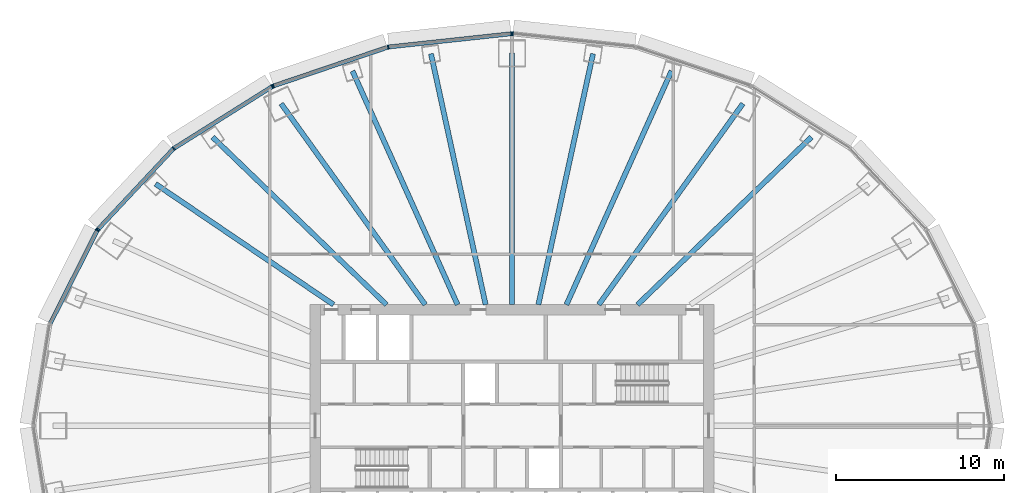
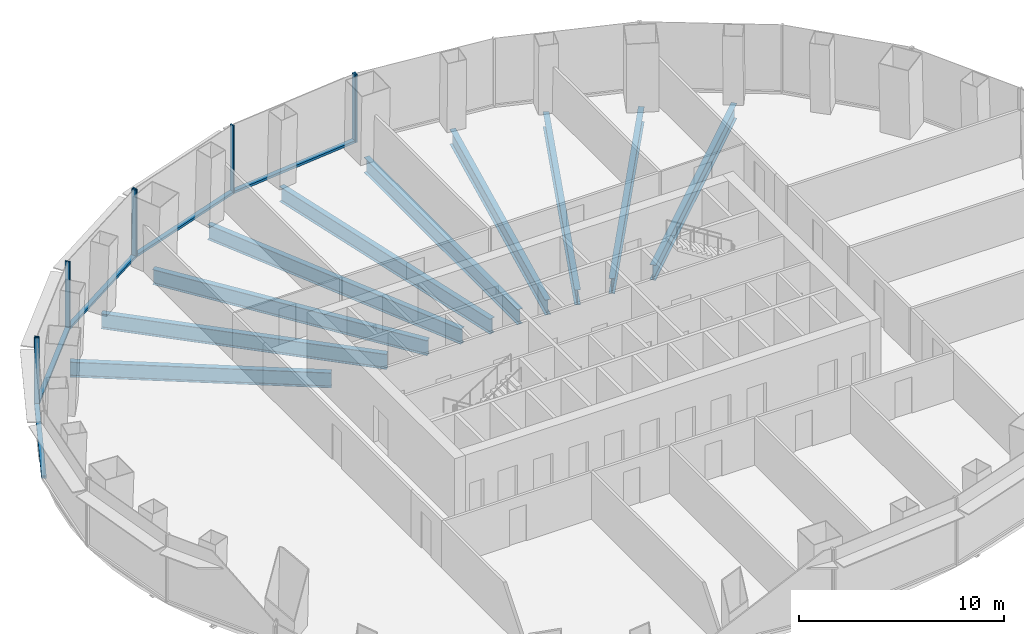
# One storey, part 4 of 13: 13 members, 10 beams, 4 elements without a shape of their own.
"""IFC4 building model written with IfcOpenShell, lengths in metres."""

from ifc_helpers import new_model, si_unit, direction, frame, origin, origin_2d, place, context, subcontext, project, spatial, rectangle, i_section, extrude, material, layer, layer_set, material_profile, profile_set, type_object, element, aggregate, save


model = new_model("IFC4")

# Units and contexts
model_context = context("Model", 3, precision=1e-05, world=origin(), true_north=direction((0.0, 1.0)))
body_context = subcontext(model_context, "Body", "Model", "MODEL_VIEW")
ifc_project = project(units=[si_unit("LENGTHUNIT", "METRE"), si_unit("AREAUNIT", "SQUARE_METRE"), si_unit("VOLUMEUNIT", "CUBIC_METRE"), si_unit("PLANEANGLEUNIT", "RADIAN"), si_unit("MASSUNIT", "GRAM", prefix="KILO")], contexts=[model_context])

# Site, building, storey
site_placement = place(None, origin())
site = spatial("IfcSite", under=ifc_project, at=site_placement, CompositionType="ELEMENT")
building_placement = place(site_placement, origin())
building = spatial("IfcBuilding", under=site, at=building_placement, Name="Siaravel Broadcast Tower", CompositionType="ELEMENT")
storey_placement = place(building_placement, frame((0.0, 0.0, 32.89990234375)))
storey = spatial("IfcBuildingStorey", under=building, at=storey_placement, Name="L06", CompositionType="ELEMENT", Elevation=32.89990234375)

# Beams
ifc_material_1 = material(Name="Steel S355", Category="steel")
ifc_material_profile_1 = material_profile(ifc_material_1, i_section(OverallWidth=0.30322265625, OverallDepth=0.903076171875, WebThickness=0.01513671875, FlangeThickness=0.020263671875, FilletRadius=0.01904296875, at=origin_2d()))
ifc_profile_set_1 = profile_set([ifc_material_profile_1], Name="Steel S355")
beam_type = type_object("IfcBeamType", Name="BM-UB 914x305x201", PredefinedType="BEAM", material=ifc_profile_set_1)
beam_1_placement = place(storey_placement, frame((17.80419921875, 17.163330078125, -0.6513671875), z_axis=(-0.719938673, -0.694037684, 0.0), x_axis=(0.694037684, -0.719938673, 0.0)))
element("IfcBeam", 1, at=beam_1_placement, inside=storey, type_object=beam_type, Name="Radial beam RB06", PredefinedType="BEAM", context=body_context, shape_type="SweptSolid", body=[
    extrude(i_section(OverallWidth=0.30322265625, OverallDepth=0.903076171875, WebThickness=0.01513671875, FlangeThickness=0.020263671875, FilletRadius=0.01904296875, at=origin_2d()), origin(), (0.0, 0.0, 1.0), 14.355712890625),
])
beam_2_placement = place(storey_placement, frame((13.7314453125, 19.154296875, -0.6513671875), z_axis=(-0.582633165, -0.812735255, 0.0), x_axis=(0.812735255, -0.582633165, 0.0)))
element("IfcBeam", 2, at=beam_2_placement, inside=storey, type_object=beam_type, Name="Radial beam RB07", PredefinedType="BEAM", context=body_context, shape_type="SweptSolid", body=[
    extrude(i_section(OverallWidth=0.30322265625, OverallDepth=0.903076171875, WebThickness=0.01513671875, FlangeThickness=0.020263671875, FilletRadius=0.01904296875, at=origin_2d()), origin(), (0.0, 0.0, 1.0), 14.708740234375),
])
beam_3_placement = place(storey_placement, frame((9.486083984375, 21.095947265625, -0.6513671875), z_axis=(-0.410110148, -0.912036001, 0.0), x_axis=(0.912036001, -0.410110148, 0.0)))
element("IfcBeam", 3, at=beam_3_placement, inside=storey, type_object=beam_type, Name="Radial beam RB08", PredefinedType="BEAM", context=body_context, shape_type="SweptSolid", body=[
    extrude(i_section(OverallWidth=0.30322265625, OverallDepth=0.903076171875, WebThickness=0.01513671875, FlangeThickness=0.020263671875, FilletRadius=0.01904296875, at=origin_2d()), origin(), (0.0, 0.0, 1.0), 15.236328125),
])
beam_4_placement = place(storey_placement, frame((4.81787109375, 22.12060546875, -0.6513671875), z_axis=(-0.212813277, -0.977092887, 0.0), x_axis=(0.977092887, -0.212813277, 0.0)))
element("IfcBeam", 4, at=beam_4_placement, inside=storey, type_object=beam_type, Name="Radial beam RB09", PredefinedType="BEAM", context=body_context, shape_type="SweptSolid", body=[
    extrude(i_section(OverallWidth=0.30322265625, OverallDepth=0.903076171875, WebThickness=0.01513671875, FlangeThickness=0.020263671875, FilletRadius=0.01904296875, at=origin_2d()), origin(), (0.0, 0.0, 1.0), 15.2705078125),
])
beam_5_placement = place(storey_placement, frame((0.0, 22.165771484375, -0.6513671875), z_axis=(0.0, -1.0, 0.0), x_axis=(1.0, 0.0, 0.0)))
element("IfcBeam", 5, at=beam_5_placement, inside=storey, type_object=beam_type, Name="Radial beam RB10", PredefinedType="BEAM", context=body_context, shape_type="SweptSolid", body=[
    extrude(i_section(OverallWidth=0.30322265625, OverallDepth=0.903076171875, WebThickness=0.01513671875, FlangeThickness=0.020263671875, FilletRadius=0.01904296875, at=origin_2d()), origin(), (0.0, 0.0, 1.0), 14.9658203125),
])
beam_6_placement = place(storey_placement, frame((-4.81787109375, 22.12060546875, -0.6513671875), z_axis=(0.212813277, -0.977092887, 0.0), x_axis=(0.977092887, 0.212813277, 0.0)))
element("IfcBeam", 6, at=beam_6_placement, inside=storey, type_object=beam_type, Name="Radial beam RB11", PredefinedType="BEAM", context=body_context, shape_type="SweptSolid", body=[
    extrude(i_section(OverallWidth=0.30322265625, OverallDepth=0.903076171875, WebThickness=0.01513671875, FlangeThickness=0.020263671875, FilletRadius=0.01904296875, at=origin_2d()), origin(), (0.0, 0.0, 1.0), 15.2705078125),
])
beam_7_placement = place(storey_placement, frame((-9.486083984375, 21.095947265625, -0.6513671875), z_axis=(0.410110148, -0.912036001, 0.0), x_axis=(0.912036001, 0.410110148, 0.0)))
element("IfcBeam", 7, at=beam_7_placement, inside=storey, type_object=beam_type, Name="Radial beam RB12", PredefinedType="BEAM", context=body_context, shape_type="SweptSolid", body=[
    extrude(i_section(OverallWidth=0.30322265625, OverallDepth=0.903076171875, WebThickness=0.01513671875, FlangeThickness=0.020263671875, FilletRadius=0.01904296875, at=origin_2d()), origin(), (0.0, 0.0, 1.0), 15.236328125),
])
beam_8_placement = place(storey_placement, frame((-13.7314453125, 19.154296875, -0.6513671875), z_axis=(0.582633165, -0.812735255, 0.0), x_axis=(0.812735255, 0.582633165, 0.0)))
element("IfcBeam", 8, at=beam_8_placement, inside=storey, type_object=beam_type, Name="Radial beam RB13", PredefinedType="BEAM", context=body_context, shape_type="SweptSolid", body=[
    extrude(i_section(OverallWidth=0.30322265625, OverallDepth=0.903076171875, WebThickness=0.01513671875, FlangeThickness=0.020263671875, FilletRadius=0.01904296875, at=origin_2d()), origin(), (0.0, 0.0, 1.0), 14.708740234375),
])
beam_9_placement = place(storey_placement, frame((-17.80419921875, 17.163330078125, -0.6513671875), z_axis=(0.719938673, -0.694037684, 0.0), x_axis=(0.694037684, 0.719938673, 0.0)))
element("IfcBeam", 9, at=beam_9_placement, inside=storey, type_object=beam_type, Name="Radial beam RB14", PredefinedType="BEAM", context=body_context, shape_type="SweptSolid", body=[
    extrude(i_section(OverallWidth=0.30322265625, OverallDepth=0.903076171875, WebThickness=0.01513671875, FlangeThickness=0.020263671875, FilletRadius=0.01904296875, at=origin_2d()), origin(), (0.0, 0.0, 1.0), 14.355712890625),
])
beam_10_placement = place(storey_placement, frame((-21.19970703125, 14.382568359375, -0.6513671875), z_axis=(0.827525171, -0.561428617, 0.0), x_axis=(0.561428617, 0.827525171, 0.0)))
element("IfcBeam", 10, at=beam_10_placement, inside=storey, type_object=beam_type, Name="Radial beam RB15", PredefinedType="BEAM", context=body_context, shape_type="SweptSolid", body=[
    extrude(i_section(OverallWidth=0.30322265625, OverallDepth=0.903076171875, WebThickness=0.01513671875, FlangeThickness=0.020263671875, FilletRadius=0.01904296875, at=origin_2d()), origin(), (0.0, 0.0, 1.0), 12.79345703125),
])

# Curtain wall, member
ifc_material_2 = material(Name="Aluminium 6063-T6", Category="aluminium")
ifc_layer = layer(ifc_material_2, 0.25)
ifc_layer_set = layer_set([ifc_layer], Name="Aluminium 6063-T6")
curtain_wall_type = type_object("IfcCurtainWallType", Name="Podium newsroom glazing", PredefinedType="NOTDEFINED", material=ifc_layer_set)
curtain_wall_1_placement = place(storey_placement, origin())
curtain_wall_1 = element("IfcCurtainWall", 11, at=curtain_wall_1_placement, inside=storey, type_object=curtain_wall_type, Name="L06 Podium newsroom glazing 03", PredefinedType="NOTDEFINED")
ifc_material_profile_2 = material_profile(ifc_material_2, rectangle(XDim=0.25, YDim=0.080078125, at=origin_2d()))
ifc_profile_set_2 = profile_set([ifc_material_profile_2], Name="Aluminium 6063-T6")
member_type_1 = type_object("IfcMemberType", Name="CW-PD mullion", PredefinedType="MULLION", material=ifc_profile_set_2)
member_1_placement = place(storey_placement, frame((0.039794921875, 23.311279296875, 0.0), z_axis=(0.0, 0.0, 1.0), x_axis=(-0.107217269, -0.994235615, 0.0)))
member_1 = element("IfcMember", 12, at=member_1_placement, type_object=member_type_1, Name="CW-PD mullion 3", PredefinedType="MULLION", context=body_context, shape_type="SweptSolid", body=[
    extrude(rectangle(XDim=0.25, YDim=0.080078125, at=origin_2d()), origin(), (0.0, 0.0, 1.0), 4.050048828125),
])
aggregate(curtain_wall_1, [member_1])

# Curtain wall, members
curtain_wall_2_placement = place(storey_placement, origin())
curtain_wall_2 = element("IfcCurtainWall", 13, at=curtain_wall_2_placement, inside=storey, type_object=curtain_wall_type, Name="L06 Podium newsroom glazing 04", PredefinedType="NOTDEFINED")
member_2_placement = place(storey_placement, frame((-0.039794921875, 23.311279296875, 0.0), z_axis=(0.0, 0.0, 1.0), x_axis=(0.107217269, -0.994235615, 0.0)))
member_2 = element("IfcMember", 14, at=member_2_placement, type_object=member_type_1, Name="CW-PD mullion 1", PredefinedType="MULLION", context=body_context, shape_type="SweptSolid", body=[
    extrude(rectangle(XDim=0.25, YDim=0.080078125, at=origin_2d()), origin(), (0.0, 0.0, 1.0), 4.050048828125),
])
member_3_placement = place(storey_placement, frame((-7.362060546875, 22.521728515625, 0.0), z_axis=(0.0, 0.0, 1.0), x_axis=(0.215557626, -0.976491121, 0.0)))
member_3 = element("IfcMember", 15, at=member_3_placement, type_object=member_type_1, Name="CW-PD mullion 2", PredefinedType="MULLION", context=body_context, shape_type="SweptSolid", body=[
    extrude(rectangle(XDim=0.25, YDim=0.080078125, at=origin_2d()), origin(), (0.0, 0.0, 1.0), 4.050048828125),
])
member_4_placement = place(storey_placement, frame((-14.185302734375, 20.206787109375, 0.0), z_axis=(0.0, 0.0, 1.0), x_axis=(0.321299974, -0.946977469, 0.0)))
member_4 = element("IfcMember", 16, at=member_4_placement, type_object=member_type_1, Name="CW-PD mullion 3", PredefinedType="MULLION", context=body_context, shape_type="SweptSolid", body=[
    extrude(rectangle(XDim=0.25, YDim=0.080078125, at=origin_2d()), origin(), (0.0, 0.0, 1.0), 4.050048828125),
])

curtain_wall_3_placement = place(storey_placement, origin())
curtain_wall_3 = element("IfcCurtainWall", 17, at=curtain_wall_3_placement, inside=storey, type_object=curtain_wall_type, Name="L06 Podium newsroom glazing 05", PredefinedType="NOTDEFINED")
member_5_placement = place(storey_placement, frame((-14.257080078125, 20.172607421875, 0.0), z_axis=(0.0, 0.0, 1.0), x_axis=(0.532148221, -0.84665121, 0.0)))
member_5 = element("IfcMember", 18, at=member_5_placement, type_object=member_type_1, Name="CW-PD mullion 1", PredefinedType="MULLION", context=body_context, shape_type="SweptSolid", body=[
    extrude(rectangle(XDim=0.25, YDim=0.080078125, at=origin_2d()), origin(), (0.0, 0.0, 1.0), 4.050048828125),
])
member_6_placement = place(storey_placement, frame((-20.1162109375, 16.489990234375, 0.0), z_axis=(0.0, 0.0, 1.0), x_axis=(0.636217558, -0.771509701, 0.0)))
member_6 = element("IfcMember", 19, at=member_6_placement, type_object=member_type_1, Name="CW-PD mullion 2", PredefinedType="MULLION", context=body_context, shape_type="SweptSolid", body=[
    extrude(rectangle(XDim=0.25, YDim=0.080078125, at=origin_2d()), origin(), (0.0, 0.0, 1.0), 4.050048828125),
])
member_7_placement = place(storey_placement, frame((-24.61181640625, 11.69091796875, 0.0), z_axis=(0.0, 0.0, 1.0), x_axis=(0.729804146, -0.68365628, 0.0)))
member_7 = element("IfcMember", 20, at=member_7_placement, type_object=member_type_1, Name="CW-PD mullion 3", PredefinedType="MULLION", context=body_context, shape_type="SweptSolid", body=[
    extrude(rectangle(XDim=0.25, YDim=0.080078125, at=origin_2d()), origin(), (0.0, 0.0, 1.0), 4.050048828125),
])

# Curtain wall, member
curtain_wall_4_placement = place(storey_placement, origin())
curtain_wall_4 = element("IfcCurtainWall", 21, at=curtain_wall_4_placement, inside=storey, type_object=curtain_wall_type, Name="L06 Podium newsroom glazing 06", PredefinedType="NOTDEFINED")
member_8_placement = place(storey_placement, frame((-24.6572265625, 11.6259765625, 0.0), z_axis=(0.0, 0.0, 1.0), x_axis=(0.89239138, -0.451262258, 0.0)))
member_8 = element("IfcMember", 22, at=member_8_placement, type_object=member_type_1, Name="CW-PD mullion 1", PredefinedType="MULLION", context=body_context, shape_type="SweptSolid", body=[
    extrude(rectangle(XDim=0.25, YDim=0.080078125, at=origin_2d()), origin(), (0.0, 0.0, 1.0), 4.050048828125),
])

# Member
ifc_material_profile_3 = material_profile(ifc_material_2, rectangle(XDim=0.25, YDim=0.139892578125, at=origin_2d()))
ifc_profile_set_3 = profile_set([ifc_material_profile_3], Name="Aluminium 6063-T6")
member_type_2 = type_object("IfcMemberType", Name="CW-PD transom", PredefinedType="USERDEFINED", material=ifc_profile_set_3)
member_9_placement = place(storey_placement, frame((-0.07958984375, 23.30712890625, 0.070068359375), z_axis=(-0.994236146, -0.107212345, 0.0), x_axis=(0.107212345, -0.994236146, 0.0)))
member_9 = element("IfcMember", 23, at=member_9_placement, type_object=member_type_2, Name="CW-PD transom 1", ObjectType="TRANSOM", PredefinedType="USERDEFINED", context=body_context, shape_type="SweptSolid", body=[
    extrude(rectangle(XDim=0.25, YDim=0.139892578125, at=origin_2d()), origin(), (0.0, 0.0, 1.0), 7.28466796875),
])

member_10_placement = place(storey_placement, frame((-7.39990234375, 22.5087890625, 0.070068359375), z_axis=(-0.946980562, -0.321290858, 0.0), x_axis=(0.321290858, -0.946980562, 0.0)))
member_10 = element("IfcMember", 24, at=member_10_placement, type_object=member_type_2, Name="CW-PD transom 2", ObjectType="TRANSOM", PredefinedType="USERDEFINED", context=body_context, shape_type="SweptSolid", body=[
    extrude(rectangle(XDim=0.25, YDim=0.139892578125, at=origin_2d()), origin(), (0.0, 0.0, 1.0), 7.125244140625),
])

aggregate(curtain_wall_2, [member_2, member_3, member_4, member_9, member_10])

member_11_placement = place(storey_placement, frame((-14.291015625, 20.1513671875, 0.070068359375), z_axis=(-0.846642063, -0.532162774, 0.0), x_axis=(0.532162774, -0.846642063, 0.0)))
member_11 = element("IfcMember", 25, at=member_11_placement, type_object=member_type_2, Name="CW-PD transom 1", ObjectType="TRANSOM", PredefinedType="USERDEFINED", context=body_context, shape_type="SweptSolid", body=[
    extrude(rectangle(XDim=0.25, YDim=0.139892578125, at=origin_2d()), origin(), (0.0, 0.0, 1.0), 6.84033203125),
])

member_12_placement = place(storey_placement, frame((-20.143310546875, 16.460693359375, 0.070068359375), z_axis=(-0.683673548, -0.729787969, 0.0), x_axis=(0.729787969, -0.683673548, 0.0)))
member_12 = element("IfcMember", 26, at=member_12_placement, type_object=member_type_2, Name="CW-PD transom 2", ObjectType="TRANSOM", PredefinedType="USERDEFINED", context=body_context, shape_type="SweptSolid", body=[
    extrude(rectangle(XDim=0.25, YDim=0.139892578125, at=origin_2d()), origin(), (0.0, 0.0, 1.0), 6.49609375),
])

aggregate(curtain_wall_3, [member_5, member_6, member_7, member_11, member_12])

member_13_placement = place(storey_placement, frame((-24.67529296875, 11.59033203125, 0.070068359375), z_axis=(-0.451221003, -0.89241224, 0.0), x_axis=(0.89241224, -0.451221003, 0.0)))
member_13 = element("IfcMember", 27, at=member_13_placement, type_object=member_type_2, Name="CW-PD transom 1", ObjectType="TRANSOM", PredefinedType="USERDEFINED", context=body_context, shape_type="SweptSolid", body=[
    extrude(rectangle(XDim=0.25, YDim=0.139892578125, at=origin_2d()), origin(), (0.0, 0.0, 1.0), 6.182861328125),
])

aggregate(curtain_wall_4, [member_8, member_13])

save(model, "model.ifc")
